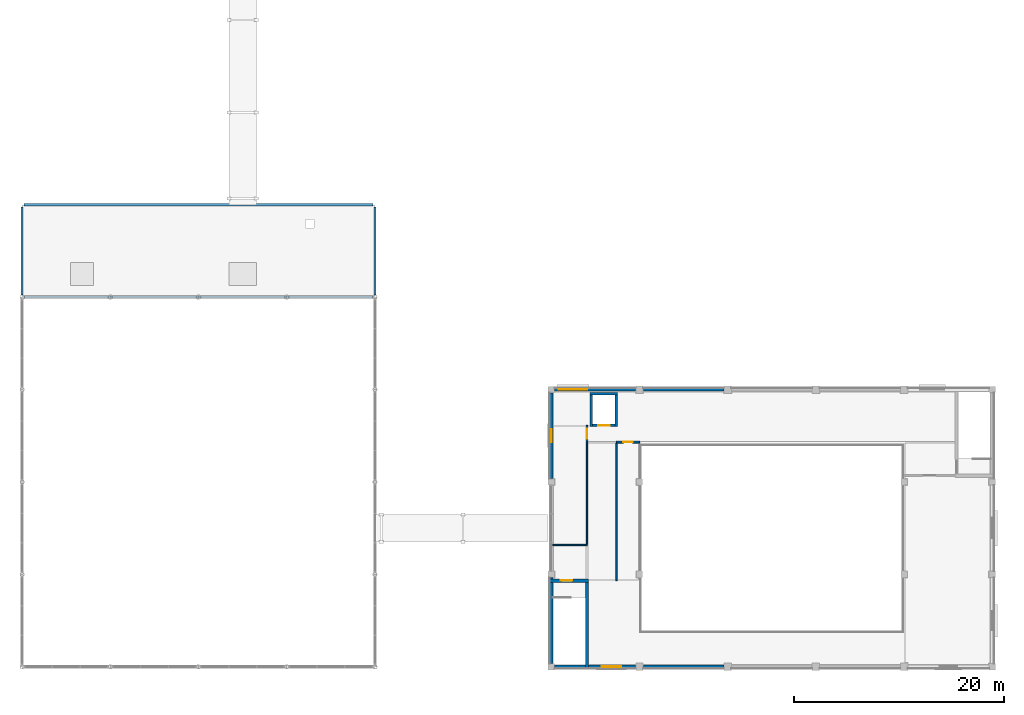
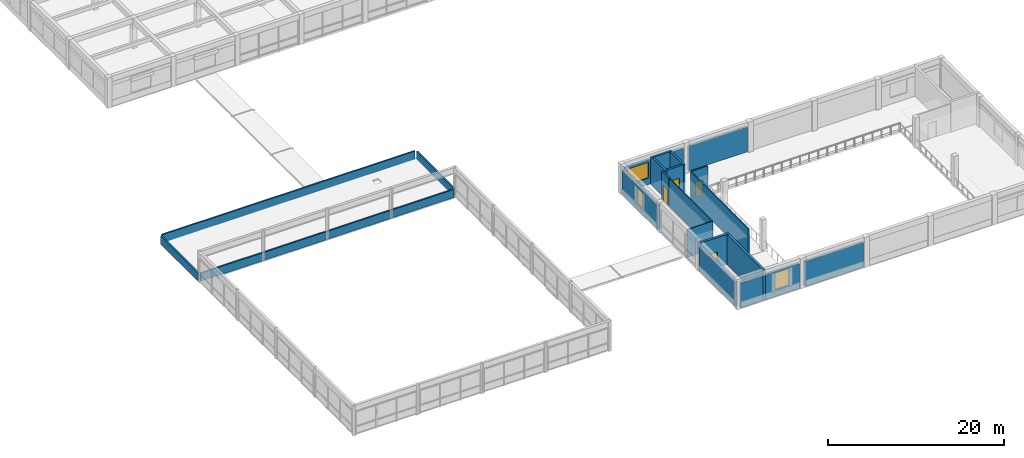
# One storey, part 30 of 46: 21 walls, 4 doors, 3 windows, 7 openings.
"""IFC4 building model written with IfcOpenShell, lengths in metres."""

from ifc_helpers import new_model, si_unit, direction, frame, frame_2d, origin, place, context, subcontext, project, spatial, rectangle, extrude, material, layer, layer_set, type_object, element, fill, save


model = new_model("IFC4")

# Units and contexts
model_context = context("Model", 3, precision=1e-05, world=origin(), true_north=direction((0.0, 1.0)))
body_context = subcontext(model_context, "Body", "Model", "MODEL_VIEW")
ifc_project = project(units=[si_unit("LENGTHUNIT", "METRE"), si_unit("AREAUNIT", "SQUARE_METRE"), si_unit("VOLUMEUNIT", "CUBIC_METRE"), si_unit("PLANEANGLEUNIT", "RADIAN"), si_unit("MASSUNIT", "GRAM", prefix="KILO")], contexts=[model_context])

# Site, building, storey
site_placement = place(None, origin())
site = spatial("IfcSite", under=ifc_project, at=site_placement, CompositionType="ELEMENT")
building_placement = place(site_placement, origin())
building = spatial("IfcBuilding", under=site, at=building_placement, Name="Kemercrest Conservatory and Botanical Centre", CompositionType="ELEMENT")
storey_placement = place(building_placement, frame((0.0, 0.0, 9.0)))
storey = spatial("IfcBuildingStorey", under=building, at=storey_placement, Name="L02", CompositionType="ELEMENT", Elevation=9.0)

# Wall, opening, window
ifc_material_1 = material(Name="Precast concrete C40/50", Category="concrete")
ifc_layer_1 = layer(ifc_material_1, 0.300048828125)
ifc_layer_set_1 = layer_set([ifc_layer_1], Name="Precast concrete C40/50")
wall_type_1 = type_object("IfcWallType", Name="CW-EXT300", PredefinedType="SHEAR", material=ifc_layer_set_1)
wall_1_placement = place(storey_placement, frame((58.7099609375, 16.800048828125, 0.0), z_axis=(0.0, 0.0, 1.0), x_axis=(1.0, 0.0, 0.0)))
wall_1 = element("IfcWall", 1, at=wall_1_placement, inside=storey, type_object=wall_type_1, Name="Exterior stair-core shear wall CW-EXT300 (WAL:L02:EXT-053)", PredefinedType="SHEAR", context=body_context, shape_type="SweptSolid", body=[
    extrude(rectangle(XDim=7.72998046875, YDim=0.300048828125, at=frame_2d((3.864990234375, 0.0))), origin(), (0.0, 0.0, 1.0), 3.449951171875),
])
opening_1_placement = place(wall_1_placement, frame((4.489990234375, 0.0, 0.89990234375)))
opening_1 = element("IfcOpeningElement", 2, at=opening_1_placement, cuts=wall_1, Name="Opening WT-60", PredefinedType="OPENING", context=body_context, shape_type="SweptSolid", body=[
    extrude(rectangle(XDim=1.840087890625, YDim=2.340087890625, at=frame_2d((0.919921875, 1.169921875))), frame((0.0, 0.16015625, 0.0), z_axis=(0.0, -1.0, 0.0), x_axis=(1.0, 0.0, 0.0)), (0.0, 0.0, 1.0), 0.320068359375),
])
ifc_material_2 = material(Name="Thermally broken bronze-anodized aluminium and triple glazing", Category="aluminium")
window_type_1 = type_object("IfcWindowType", Name="WT-60", PartitioningType="SINGLE_PANEL", PredefinedType="WINDOW", material=ifc_material_2)
window_1_placement = place(opening_1_placement, origin())
window_1 = element("IfcWindow", 3, at=window_1_placement, inside=storey, type_object=window_type_1, Name="Exterior window WT-60 (WIN:L02:EXT-053)", OverallHeight=2.340087890625, OverallWidth=1.840087890625, PartitioningType="SINGLE_PANEL", PredefinedType="WINDOW", context=body_context, shape_type="SweptSolid", body=[
    extrude(rectangle(XDim=1.840087890625, YDim=2.340087890625, at=frame_2d((0.919921875, 1.169921875))), frame((0.0, 0.030029296875, 0.0), z_axis=(0.0, -1.0, 0.0), x_axis=(1.0, 0.0, 0.0)), (0.0, 0.0, 1.0), 0.06005859375),
])
fill(opening_1, window_1)

# Wall
wall_2_placement = place(storey_placement, frame((58.39990234375, 25.2900390625, 0.0), z_axis=(0.0, 0.0, 1.0), x_axis=(0.0, -1.0, 0.0)))
element("IfcWall", 4, at=wall_2_placement, inside=storey, type_object=wall_type_1, Name="Exterior stair-core shear wall CW-EXT300 (WAL:L02:EXT-067)", PredefinedType="SHEAR", context=body_context, shape_type="SweptSolid", body=[
    extrude(rectangle(XDim=8.179931640625, YDim=0.300048828125, at=frame_2d((4.08984375, 0.0))), origin(), (0.0, 0.0, 1.0), 3.449951171875),
])

# Wall, opening, door
ifc_material_3 = material(Name="Concrete C50/60", Category="concrete")
ifc_layer_2 = layer(ifc_material_3, 0.300048828125)
ifc_layer_set_2 = layer_set([ifc_layer_2], Name="Concrete C50/60")
wall_type_2 = type_object("IfcWallType", Name="CW-STAIR", PredefinedType="SHEAR", material=ifc_layer_set_2)
wall_3_placement = place(storey_placement, frame((58.25, 25.0, 0.0), z_axis=(0.0, 0.0, 1.0), x_axis=(1.0, 0.0, 0.0)))
wall_3 = element("IfcWall", 5, at=wall_3_placement, inside=storey, type_object=wall_type_2, Name="Stair core ST-V2A shear wall N", PredefinedType="SHEAR", context=body_context, shape_type="SweptSolid", body=[
    extrude(rectangle(XDim=3.699951171875, YDim=0.300048828125, at=frame_2d((1.85009765625, 0.0))), origin(), (0.0, 0.0, 1.0), 4.199951171875),
])
opening_2_placement = place(wall_3_placement, frame((1.050048828125, 0.0, 0.0)))
opening_2 = element("IfcOpeningElement", 6, at=opening_2_placement, cuts=wall_3, Name="Opening D010", PredefinedType="OPENING", context=body_context, shape_type="SweptSolid", body=[
    extrude(rectangle(XDim=1.10009765625, YDim=2.199951171875, at=frame_2d((0.550048828125, 1.10009765625))), frame((0.0, 0.16015625, 0.0), z_axis=(0.0, -1.0, 0.0), x_axis=(1.0, 0.0, 0.0)), (0.0, 0.0, 1.0), 0.320068359375),
])
ifc_material_4 = material(Name="Powder-coated galvanized steel and fire-rated vision glass", Category="steel")
door_type_1 = type_object("IfcDoorType", Name="DT-FD90", OperationType="NOTDEFINED", PredefinedType="DOOR", material=ifc_material_4)
door_1_placement = place(opening_2_placement, origin())
door_1 = element("IfcDoor", 7, at=door_1_placement, inside=storey, type_object=door_type_1, Name="Exit stair ST-V2A fire door D010", OperationType="SINGLE_SWING_RIGHT", OverallHeight=2.199951171875, OverallWidth=1.10009765625, PredefinedType="DOOR", context=body_context, shape_type="SweptSolid", body=[
    extrude(rectangle(XDim=1.10009765625, YDim=2.199951171875, at=frame_2d((0.550048828125, 1.10009765625))), frame((0.0, 0.02490234375, 0.0), z_axis=(0.0, -1.0, 0.0), x_axis=(1.0, 0.0, 0.0)), (0.0, 0.0, 1.0), 0.050048828125),
])
fill(opening_2, door_1)

# Walls
wall_4_placement = place(storey_placement, frame((61.800048828125, 16.64990234375, 0.0), z_axis=(0.0, 0.0, 1.0), x_axis=(0.0, 1.0, 0.0)))
element("IfcWall", 8, at=wall_4_placement, inside=storey, type_object=wall_type_2, Name="Stair core ST-V2A shear wall E", PredefinedType="SHEAR", context=body_context, shape_type="SweptSolid", body=[
    extrude(rectangle(XDim=8.5, YDim=0.300048828125, at=frame_2d((4.25, 0.0))), origin(), (0.0, 0.0, 1.0), 4.199951171875),
])
ifc_layer_3 = layer(ifc_material_1, 0.300048828125)
ifc_layer_set_3 = layer_set([ifc_layer_3], Name="Precast concrete C40/50")
wall_type_3 = type_object("IfcWallType", Name="W-EXT300", PredefinedType="SOLIDWALL", material=ifc_layer_set_3)
for number, where, z_axis, x_axis, name in (
    (9, (67.159912109375, 16.800048828125, 0.0), (0.0, 0.0, 1.0), (1.0, 0.0, 0.0), "Exterior almasik wall W-EXT300 (WAL:L02:EXT-054)"),
    (10, (74.840087890625, 43.199951171875, 0.0), (0.0, 0.0, 1.0), (-1.0, 0.0, 0.0), "Exterior almasik wall W-EXT300 (WAL:L02:EXT-064)"),
):
    element("IfcWall", number, at=place(storey_placement, frame(where, z_axis=z_axis, x_axis=x_axis)), inside=storey, type_object=wall_type_3, Name=name, PredefinedType="SOLIDWALL", context=body_context, shape_type="SweptSolid", body=[
        extrude(rectangle(XDim=7.68017578125, YDim=0.300048828125, at=frame_2d((3.840087890625, 0.0))), origin(), (0.0, 0.0, 1.0), 3.449951171875),
    ])

# Wall, opening, window
wall_5_placement = place(storey_placement, frame((66.43994140625, 43.199951171875, 0.0), z_axis=(0.0, 0.0, 1.0), x_axis=(-1.0, 0.0, 0.0)))
wall_5 = element("IfcWall", 11, at=wall_5_placement, inside=storey, type_object=wall_type_3, Name="Exterior almasik wall W-EXT300 (WAL:L02:EXT-065)", PredefinedType="SOLIDWALL", context=body_context, shape_type="SweptSolid", body=[
    extrude(rectangle(XDim=7.72998046875, YDim=0.300048828125, at=frame_2d((3.864990234375, 0.0))), origin(), (0.0, 0.0, 1.0), 3.449951171875),
])
opening_3_placement = place(wall_5_placement, frame((4.614990234375, 0.0, 0.89990234375)))
opening_3 = element("IfcOpeningElement", 12, at=opening_3_placement, cuts=wall_5, Name="Opening WT-55", PredefinedType="OPENING", context=body_context, shape_type="SweptSolid", body=[
    extrude(rectangle(XDim=2.739990234375, YDim=2.199951171875, at=frame_2d((1.3701171875, 1.10009765625))), frame((0.0, 0.16015625, 0.0), z_axis=(0.0, -1.0, 0.0), x_axis=(1.0, 0.0, 0.0)), (0.0, 0.0, 1.0), 0.320068359375),
])
window_type_2 = type_object("IfcWindowType", Name="WT-55", PartitioningType="SINGLE_PANEL", PredefinedType="WINDOW", material=ifc_material_2)
window_2_placement = place(opening_3_placement, origin())
window_2 = element("IfcWindow", 13, at=window_2_placement, inside=storey, type_object=window_type_2, Name="Exterior window WT-55 (WIN:L02:EXT-065)", OverallHeight=2.199951171875, OverallWidth=2.739990234375, PartitioningType="SINGLE_PANEL", PredefinedType="WINDOW", context=body_context, shape_type="SweptSolid", body=[
    extrude(rectangle(XDim=2.739990234375, YDim=2.199951171875, at=frame_2d((1.3701171875, 1.10009765625))), frame((0.0, 0.030029296875, 0.0), z_axis=(0.0, -1.0, 0.0), x_axis=(1.0, 0.0, 0.0)), (0.0, 0.0, 1.0), 0.06005859375),
])
fill(opening_3, window_2)

wall_6_placement = place(storey_placement, frame((58.39990234375, 42.889892578125, 0.0), z_axis=(0.0, 0.0, 1.0), x_axis=(0.0, -1.0, 0.0)))
wall_6 = element("IfcWall", 14, at=wall_6_placement, inside=storey, type_object=wall_type_3, Name="Exterior almasik wall W-EXT300 (WAL:L02:EXT-066)", PredefinedType="SOLIDWALL", context=body_context, shape_type="SweptSolid", body=[
    extrude(rectangle(XDim=8.179931640625, YDim=0.300048828125, at=frame_2d((4.08984375, 0.0))), origin(), (0.0, 0.0, 1.0), 3.449951171875),
])
opening_4_placement = place(wall_6_placement, frame((3.489990234375, 0.0, 0.89990234375)))
opening_4 = element("IfcOpeningElement", 15, at=opening_4_placement, cuts=wall_6, Name="Opening WT-13", PredefinedType="OPENING", context=body_context, shape_type="SweptSolid", body=[
    extrude(rectangle(XDim=1.199951171875, YDim=2.14990234375, at=frame_2d((0.60009765625, 1.074951171875))), frame((0.0, 0.16015625, 0.0), z_axis=(0.0, -1.0, 0.0), x_axis=(1.0, 0.0, 0.0)), (0.0, 0.0, 1.0), 0.320068359375),
])
window_type_3 = type_object("IfcWindowType", Name="WT-13", PartitioningType="SINGLE_PANEL", PredefinedType="WINDOW", material=ifc_material_2)
window_3_placement = place(opening_4_placement, origin())
window_3 = element("IfcWindow", 16, at=window_3_placement, inside=storey, type_object=window_type_3, Name="Exterior window WT-13 (WIN:L02:EXT-066)", OverallHeight=2.14990234375, OverallWidth=1.199951171875, PartitioningType="SINGLE_PANEL", PredefinedType="WINDOW", context=body_context, shape_type="SweptSolid", body=[
    extrude(rectangle(XDim=1.199951171875, YDim=2.14990234375, at=frame_2d((0.60009765625, 1.074951171875))), frame((0.0, 0.030029296875, 0.0), z_axis=(0.0, -1.0, 0.0), x_axis=(1.0, 0.0, 0.0)), (0.0, 0.0, 1.0), 0.06005859375),
])
fill(opening_4, window_3)

# Walls
ifc_layer_4 = layer(ifc_material_1, 0.199951171875)
ifc_layer_set_4 = layer_set([ifc_layer_4], Name="Precast concrete C40/50")
wall_type_4 = type_object("IfcWallType", Name="W-PAR200", PredefinedType="PARAPET", material=ifc_layer_set_4)
wall_7_placement = place(storey_placement, frame((8.199951171875, 52.0, 0.0), z_axis=(0.0, 0.0, 1.0), x_axis=(1.0, 0.0, 0.0)))
element("IfcWall", 17, at=wall_7_placement, inside=storey, type_object=wall_type_4, Name="V1-BAR roof perimeter parapet #1", PredefinedType="PARAPET", context=body_context, shape_type="SweptSolid", body=[
    extrude(rectangle(XDim=33.199951171875, YDim=0.199951171875, at=frame_2d((16.60009765625, 0.0))), origin(), (0.0, 0.0, 1.0), 1.1201171875),
])
wall_8_placement = place(storey_placement, frame((41.60009765625, 52.199951171875, 0.0), z_axis=(0.0, 0.0, 1.0), x_axis=(0.0, 1.0, 0.0)))
element("IfcWall", 18, at=wall_8_placement, inside=storey, type_object=wall_type_4, Name="V1-BAR roof perimeter parapet #2", PredefinedType="PARAPET", context=body_context, shape_type="SweptSolid", body=[
    extrude(rectangle(XDim=8.400146484375, YDim=0.199951171875, at=frame_2d((4.2001953125, 0.0))), origin(), (0.0, 0.0, 1.0), 1.1201171875),
])
wall_9_placement = place(storey_placement, frame((41.39990234375, 60.800048828125, 0.0), z_axis=(0.0, 0.0, 1.0), x_axis=(-1.0, 0.0, 0.0)))
element("IfcWall", 19, at=wall_9_placement, inside=storey, type_object=wall_type_4, Name="V1-BAR roof perimeter parapet #3", PredefinedType="PARAPET", context=body_context, shape_type="SweptSolid", body=[
    extrude(rectangle(XDim=33.199951171875, YDim=0.199951171875, at=frame_2d((16.60009765625, 0.0))), origin(), (0.0, 0.0, 1.0), 1.1201171875),
])
wall_10_placement = place(storey_placement, frame((8.0, 60.60009765625, 0.0), z_axis=(0.0, 0.0, 1.0), x_axis=(0.0, -1.0, 0.0)))
element("IfcWall", 20, at=wall_10_placement, inside=storey, type_object=wall_type_4, Name="V1-BAR roof perimeter parapet #4", PredefinedType="PARAPET", context=body_context, shape_type="SweptSolid", body=[
    extrude(rectangle(XDim=8.400146484375, YDim=0.199951171875, at=frame_2d((4.2001953125, 0.0))), origin(), (0.0, 0.0, 1.0), 1.1201171875),
])
ifc_material_5 = material(Name="Moisture-resistant gypsum board partition", Category="gypsum")
ifc_layer_5 = layer(ifc_material_5, 0.125)
ifc_layer_set_5 = layer_set([ifc_layer_5], Name="Moisture-resistant gypsum board partition")
wall_type_5 = type_object("IfcWallType", Name="W-PART125", PredefinedType="PARTITIONING", material=ifc_layer_set_5)
wall_11_placement = place(storey_placement, frame((58.39990234375, 28.39990234375, 0.0), z_axis=(0.0, 0.0, 1.0), x_axis=(1.0, 0.0, 0.0)))
element("IfcWall", 21, at=wall_11_placement, inside=storey, type_object=wall_type_5, Name="Interior partition W-PART125 #107", PredefinedType="PARTITIONING", context=body_context, shape_type="SweptSolid", body=[
    extrude(rectangle(XDim=3.400146484375, YDim=0.125, at=frame_2d((1.7001953125, 0.0))), origin(), (0.0, 0.0, 1.0), 3.864990234375),
])
wall_12_placement = place(storey_placement, frame((61.800048828125, 28.467529296875, 0.0), z_axis=(0.0, 0.0, 1.0), x_axis=(0.0, 1.0, 0.0)))
element("IfcWall", 22, at=wall_12_placement, inside=storey, type_object=wall_type_5, Name="Interior partition W-PART125 #109", PredefinedType="PARTITIONING", context=body_context, shape_type="SweptSolid", body=[
    extrude(rectangle(XDim=9.732421875, YDim=0.125, at=frame_2d((4.8662109375, 0.0))), origin(), (0.0, 0.0, 1.0), 3.864990234375),
])
ifc_material_6 = material(Name="Steel-stud gypsum board partition", Category="steel")
ifc_layer_6 = layer(ifc_material_6, 0.14990234375)
ifc_layer_set_6 = layer_set([ifc_layer_6], Name="Steel-stud gypsum board partition")
wall_type_6 = type_object("IfcWallType", Name="W-PART150", PredefinedType="PARTITIONING", material=ifc_layer_set_6)
wall_13_placement = place(storey_placement, frame((64.60009765625, 25.0, 0.0), z_axis=(0.0, 0.0, 1.0), x_axis=(0.0, 1.0, 0.0)))
element("IfcWall", 23, at=wall_13_placement, inside=storey, type_object=wall_type_6, Name="Interior partition W-PART150 #108", PredefinedType="PARTITIONING", context=body_context, shape_type="SweptSolid", body=[
    extrude(rectangle(XDim=13.10498046875, YDim=0.14990234375, at=frame_2d((6.552490234375, 0.0))), origin(), (0.0, 0.0, 1.0), 3.864990234375),
])

# Wall, opening, door
ifc_material_7 = material(Name="Acoustic steel-stud gypsum board assembly", Category="steel")
ifc_layer_7 = layer(ifc_material_7, 0.179931640625)
ifc_layer_set_7 = layer_set([ifc_layer_7], Name="Acoustic steel-stud gypsum board assembly")
wall_type_7 = type_object("IfcWallType", Name="W-PART180", PredefinedType="PARTITIONING", material=ifc_layer_set_7)
wall_14_placement = place(storey_placement, frame((64.60009765625, 38.199951171875, 0.0), z_axis=(0.0, 0.0, 1.0), x_axis=(1.0, 0.0, 0.0)))
wall_14 = element("IfcWall", 24, at=wall_14_placement, inside=storey, type_object=wall_type_7, Name="Interior partition W-PART180 #104", PredefinedType="PARTITIONING", context=body_context, shape_type="SweptSolid", body=[
    extrude(rectangle(XDim=2.199951171875, YDim=0.179931640625, at=frame_2d((1.10009765625, 0.0))), origin(), (0.0, 0.0, 1.0), 3.864990234375),
])
opening_5_placement = place(wall_14_placement, frame((0.639892578125, 0.0, 0.0)))
opening_5 = element("IfcOpeningElement", 25, at=opening_5_placement, cuts=wall_14, Name="Opening D165", PredefinedType="OPENING", context=body_context, shape_type="SweptSolid", body=[
    extrude(rectangle(XDim=0.919921875, YDim=2.10009765625, at=frame_2d((0.4599609375, 1.050048828125))), frame((0.0, 0.10009765625, 0.0), z_axis=(0.0, -1.0, 0.0), x_axis=(1.0, 0.0, 0.0)), (0.0, 0.0, 1.0), 0.199951171875),
])
ifc_material_8 = material(Name="FSC solid-core white oak veneer and anodized aluminium frame", Category="aluminium")
door_type_2 = type_object("IfcDoorType", Name="DT-01", OperationType="NOTDEFINED", PredefinedType="DOOR", material=ifc_material_8)
door_2_placement = place(opening_5_placement, origin())
door_2 = element("IfcDoor", 26, at=door_2_placement, inside=storey, type_object=door_type_2, Name="Acoustic Control and Projection Suite door D165", OperationType="SINGLE_SWING_LEFT", OverallHeight=2.10009765625, OverallWidth=0.919921875, PredefinedType="DOOR", context=body_context, shape_type="SweptSolid", body=[
    extrude(rectangle(XDim=0.919921875, YDim=2.10009765625, at=frame_2d((0.4599609375, 1.050048828125))), frame((0.0, 0.02490234375, 0.0), z_axis=(0.0, -1.0, 0.0), x_axis=(1.0, 0.0, 0.0)), (0.0, 0.0, 1.0), 0.050048828125),
])
fill(opening_5, door_2)

wall_15_placement = place(storey_placement, frame((61.800048828125, 38.199951171875, 0.0), z_axis=(0.0, 0.0, 1.0), x_axis=(0.0, 1.0, 0.0)))
wall_15 = element("IfcWall", 27, at=wall_15_placement, inside=storey, type_object=wall_type_7, Name="Interior partition W-PART180 #105", PredefinedType="PARTITIONING", context=body_context, shape_type="SweptSolid", body=[
    extrude(rectangle(XDim=1.60009765625, YDim=0.179931640625, at=frame_2d((0.800048828125, 0.0))), origin(), (0.0, 0.0, 1.0), 3.864990234375),
])
opening_6_placement = place(wall_15_placement, frame((0.31005859375, 0.0, 0.0)))
opening_6 = element("IfcOpeningElement", 28, at=opening_6_placement, cuts=wall_15, Name="Opening D166", PredefinedType="OPENING", context=body_context, shape_type="SweptSolid", body=[
    extrude(rectangle(XDim=0.97998046875, YDim=2.10009765625, at=frame_2d((0.489990234375, 1.050048828125))), frame((0.0, 0.10009765625, 0.0), z_axis=(0.0, -1.0, 0.0), x_axis=(1.0, 0.0, 0.0)), (0.0, 0.0, 1.0), 0.199951171875),
])
door_type_3 = type_object("IfcDoorType", Name="DT-02", OperationType="NOTDEFINED", PredefinedType="DOOR", material=ifc_material_8)
door_3_placement = place(opening_6_placement, origin())
door_3 = element("IfcDoor", 29, at=door_3_placement, inside=storey, type_object=door_type_3, Name="Upper Foyer Accessible Washroom door D166", OperationType="SINGLE_SWING_RIGHT", OverallHeight=2.10009765625, OverallWidth=0.97998046875, PredefinedType="DOOR", context=body_context, shape_type="SweptSolid", body=[
    extrude(rectangle(XDim=0.97998046875, YDim=2.10009765625, at=frame_2d((0.489990234375, 1.050048828125))), frame((0.0, 0.02490234375, 0.0), z_axis=(0.0, -1.0, 0.0), x_axis=(1.0, 0.0, 0.0)), (0.0, 0.0, 1.0), 0.050048828125),
])
fill(opening_6, door_3)

ifc_material_9 = material(Name="Concrete C40/50", Category="concrete")
ifc_layer_8 = layer(ifc_material_9, 0.25)
ifc_layer_set_8 = layer_set([ifc_layer_8], Name="Concrete C40/50")
wall_type_8 = type_object("IfcWallType", Name="W-SHFT250", PredefinedType="SOLIDWALL", material=ifc_layer_set_8)
wall_16_placement = place(storey_placement, frame((62.074951171875, 39.800048828125, 0.0), z_axis=(0.0, 0.0, 1.0), x_axis=(1.0, 0.0, 0.0)))
wall_16 = element("IfcWall", 30, at=wall_16_placement, inside=storey, type_object=wall_type_8, Name="Elevator LF-V2 shaft wall south", PredefinedType="SOLIDWALL", context=body_context, shape_type="SweptSolid", body=[
    extrude(rectangle(XDim=2.650146484375, YDim=0.25, at=frame_2d((1.3251953125, 0.0))), origin(), (0.0, 0.0, 1.0), 3.8798828125),
])
opening_7_placement = place(wall_16_placement, frame((0.77490234375, 0.0, 0.0)))
opening_7 = element("IfcOpeningElement", 31, at=opening_7_placement, cuts=wall_16, Name="Opening LD-099", PredefinedType="OPENING", context=body_context, shape_type="SweptSolid", body=[
    extrude(rectangle(XDim=1.10009765625, YDim=2.199951171875, at=frame_2d((0.550048828125, 1.10009765625))), frame((0.0, 0.135009765625, 0.0), z_axis=(0.0, -1.0, 0.0), x_axis=(1.0, 0.0, 0.0)), (0.0, 0.0, 1.0), 0.27001953125),
])
door_type_4 = type_object("IfcDoorType", Name="DT-LD01", OperationType="SLIDING_TO_LEFT", PredefinedType="DOOR", material=ifc_material_4)
door_4_placement = place(opening_7_placement, origin())
door_4 = element("IfcDoor", 32, at=door_4_placement, inside=storey, type_object=door_type_4, Name="Elevator LF-V2 sliding landing door LD-099", OperationType="SLIDING_TO_LEFT", OverallHeight=2.199951171875, OverallWidth=1.10009765625, PredefinedType="DOOR", context=body_context, shape_type="SweptSolid", body=[
    extrude(rectangle(XDim=1.10009765625, YDim=2.199951171875, at=frame_2d((0.550048828125, 1.10009765625))), frame((0.0, 0.02490234375, 0.0), z_axis=(0.0, -1.0, 0.0), x_axis=(1.0, 0.0, 0.0)), (0.0, 0.0, 1.0), 0.050048828125),
])
fill(opening_7, door_4)

# Walls
wall_17_placement = place(storey_placement, frame((62.074951171875, 42.800048828125, 0.0), z_axis=(0.0, 0.0, 1.0), x_axis=(1.0, 0.0, 0.0)))
element("IfcWall", 33, at=wall_17_placement, inside=storey, type_object=wall_type_8, Name="Elevator LF-V2 shaft wall north", PredefinedType="SOLIDWALL", context=body_context, shape_type="SweptSolid", body=[
    extrude(rectangle(XDim=2.650146484375, YDim=0.25, at=frame_2d((1.3251953125, 0.0))), origin(), (0.0, 0.0, 1.0), 3.8798828125),
])
for number, where, z_axis, x_axis, name in (
    (34, (62.199951171875, 39.675048828125, 0.0), (0.0, 0.0, 1.0), (0.0, 1.0, 0.0), "Elevator LF-V2 shaft wall west"),
    (35, (64.60009765625, 39.675048828125, 0.0), (0.0, 0.0, 1.0), (0.0, 1.0, 0.0), "Elevator LF-V2 shaft wall east"),
):
    element("IfcWall", number, at=place(storey_placement, frame(where, z_axis=z_axis, x_axis=x_axis)), inside=storey, type_object=wall_type_8, Name=name, PredefinedType="SOLIDWALL", context=body_context, shape_type="SweptSolid", body=[
        extrude(rectangle(XDim=3.25, YDim=0.25, at=frame_2d((1.625, 0.0))), origin(), (0.0, 0.0, 1.0), 3.8798828125),
    ])

save(model, "model.ifc")
